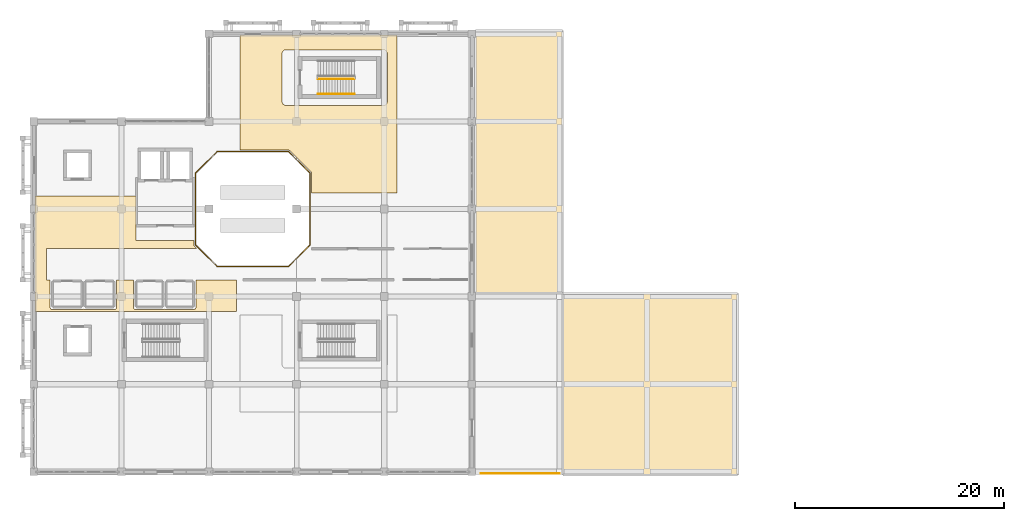
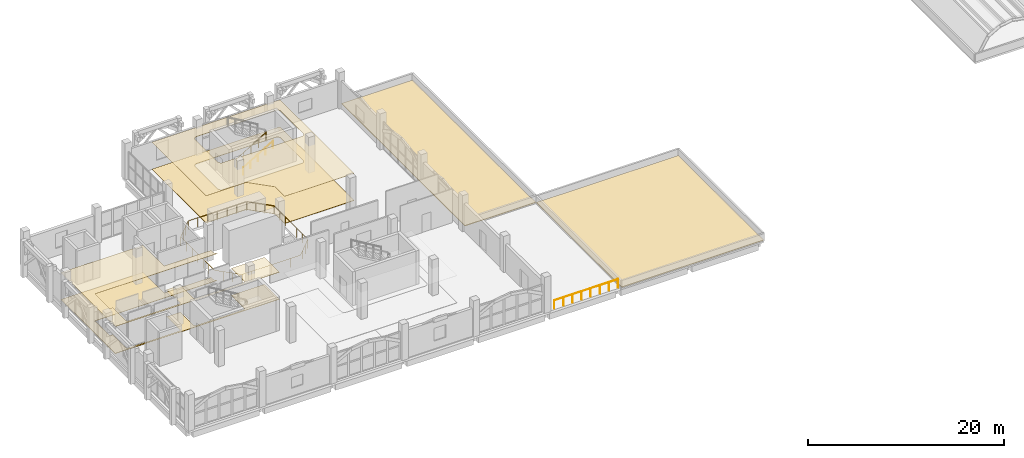
# One storey, part 31 of 34: 6 coverings, 4 railings.
"""IFC4 building model written with IfcOpenShell, lengths in metres."""

from ifc_helpers import new_model, si_unit, direction, frame, origin, origin_2d, place, context, subcontext, project, spatial, polyline, circle, outline, extrude, material, layer, layer_set, type_object, element, save


model = new_model("IFC4")

# Units and contexts
model_context = context("Model", 3, precision=1e-05, world=origin(), true_north=direction((0.0, 1.0)))
body_context = subcontext(model_context, "Body", "Model", "MODEL_VIEW")
ifc_project = project(units=[si_unit("LENGTHUNIT", "METRE"), si_unit("AREAUNIT", "SQUARE_METRE"), si_unit("VOLUMEUNIT", "CUBIC_METRE"), si_unit("PLANEANGLEUNIT", "RADIAN"), si_unit("MASSUNIT", "GRAM", prefix="KILO")], contexts=[model_context])

# Site, building, storey
site_placement = place(None, origin())
site = spatial("IfcSite", under=ifc_project, at=site_placement, CompositionType="ELEMENT")
building_placement = place(site_placement, origin())
building = spatial("IfcBuilding", under=site, at=building_placement, Name="Xazarin Passage Department Store", CompositionType="ELEMENT")
storey_placement = place(building_placement, frame((0.0, 0.0, 18.89990234375)))
storey = spatial("IfcBuildingStorey", under=building, at=storey_placement, Name="L04", CompositionType="ELEMENT", Elevation=18.89990234375)

# Coverings
ifc_material_1 = material(Name="Acoustic mineral ceiling")
ifc_layer_1 = layer(ifc_material_1, 0.0400390625)
ifc_layer_set_1 = layer_set([ifc_layer_1], Name="Acoustic mineral ceiling")
covering_type_1 = type_object("IfcCoveringType", Name="ARC-COV-CLG040", PredefinedType="CEILING", material=ifc_layer_set_1)
covering_1_placement = place(storey_placement, frame((0.0, 0.0, 3.360107421875)))
element("IfcCovering", 1, at=covering_1_placement, inside=storey, type_object=covering_type_1, Name="L04 Porcelain and Crystal Gallery Acoustic Ceiling", PredefinedType="CEILING", context=body_context, shape_type="SweptSolid", body=[
    extrude(outline(polyline([(9.800048828125, 90.199951171875), (9.800048828125, 94.449951171875), (0.10009765625, 94.449951171875), (0.10009765625, 83.35009765625), (19.449951171875, 83.35009765625), (19.449951171875, 86.39990234375), (15.52880859375, 86.39990234375), (15.531005859375, 86.395751953125), (15.539306640625, 86.37255859375), (15.545166015625, 86.348876953125), (15.548828125, 86.324462890625), (15.550048828125, 86.300048828125), (15.550048828125, 83.800048828125), (15.548828125, 83.775390625), (15.545166015625, 83.751220703125), (15.539306640625, 83.727294921875), (15.531005859375, 83.704345703125), (15.5205078125, 83.68212890625), (15.5078125, 83.6611328125), (15.493408203125, 83.641357421875), (15.476806640625, 83.623291015625), (15.45849609375, 83.606689453125), (15.43896484375, 83.592041015625), (15.417724609375, 83.57958984375), (15.395751953125, 83.569091796875), (15.37255859375, 83.560791015625), (15.348876953125, 83.5546875), (15.324462890625, 83.55126953125), (15.300048828125, 83.550048828125), (12.699951171875, 83.550048828125), (12.675537109375, 83.55126953125), (12.651123046875, 83.5546875), (12.62744140625, 83.560791015625), (12.604248046875, 83.569091796875), (12.582275390625, 83.57958984375), (12.56103515625, 83.592041015625), (12.550048828125, 83.600341796875), (12.538818359375, 83.592041015625), (12.517822265625, 83.57958984375), (12.49560546875, 83.569091796875), (12.47265625, 83.560791015625), (12.44873046875, 83.5546875), (12.424560546875, 83.55126953125), (12.39990234375, 83.550048828125), (9.800048828125, 83.550048828125), (9.775390625, 83.55126953125), (9.751220703125, 83.5546875), (9.727294921875, 83.560791015625), (9.704345703125, 83.569091796875), (9.68212890625, 83.57958984375), (9.6611328125, 83.592041015625), (9.641357421875, 83.606689453125), (9.623291015625, 83.623291015625), (9.606689453125, 83.641357421875), (9.592041015625, 83.6611328125), (9.57958984375, 83.68212890625), (9.569091796875, 83.704345703125), (9.560791015625, 83.727294921875), (9.5546875, 83.751220703125), (9.55126953125, 83.775390625), (9.550048828125, 83.800048828125), (9.550048828125, 86.300048828125), (9.55126953125, 86.324462890625), (9.5546875, 86.348876953125), (9.560791015625, 86.37255859375), (9.569091796875, 86.395751953125), (9.571044921875, 86.39990234375), (7.928955078125, 86.39990234375), (7.930908203125, 86.395751953125), (7.939208984375, 86.37255859375), (7.9453125, 86.348876953125), (7.94873046875, 86.324462890625), (7.949951171875, 86.300048828125), (7.949951171875, 83.800048828125), (7.94873046875, 83.775390625), (7.9453125, 83.751220703125), (7.939208984375, 83.727294921875), (7.930908203125, 83.704345703125), (7.92041015625, 83.68212890625), (7.907958984375, 83.6611328125), (7.893310546875, 83.641357421875), (7.876708984375, 83.623291015625), (7.858642578125, 83.606689453125), (7.8388671875, 83.592041015625), (7.81787109375, 83.57958984375), (7.795654296875, 83.569091796875), (7.772705078125, 83.560791015625), (7.748779296875, 83.5546875), (7.724609375, 83.55126953125), (7.699951171875, 83.550048828125), (4.89990234375, 83.550048828125), (4.87548828125, 83.55126953125), (4.851318359375, 83.5546875), (4.827392578125, 83.560791015625), (4.80419921875, 83.569091796875), (4.7822265625, 83.57958984375), (4.760986328125, 83.592041015625), (4.75, 83.600341796875), (4.739013671875, 83.592041015625), (4.7177734375, 83.57958984375), (4.69580078125, 83.569091796875), (4.672607421875, 83.560791015625), (4.648681640625, 83.5546875), (4.62451171875, 83.55126953125), (4.60009765625, 83.550048828125), (1.800048828125, 83.550048828125), (1.775390625, 83.55126953125), (1.751220703125, 83.5546875), (1.727294921875, 83.560791015625), (1.704345703125, 83.569091796875), (1.68212890625, 83.57958984375), (1.6611328125, 83.592041015625), (1.641357421875, 83.606689453125), (1.623291015625, 83.623291015625), (1.606689453125, 83.641357421875), (1.592041015625, 83.6611328125), (1.57958984375, 83.68212890625), (1.569091796875, 83.704345703125), (1.560791015625, 83.727294921875), (1.5546875, 83.751220703125), (1.55126953125, 83.775390625), (1.550048828125, 83.800048828125), (1.550048828125, 86.300048828125), (1.55126953125, 86.324462890625), (1.5546875, 86.348876953125), (1.560791015625, 86.37255859375), (1.569091796875, 86.395751953125), (1.571044921875, 86.39990234375), (1.199951171875, 86.39990234375), (1.199951171875, 89.39990234375), (15.646484375, 89.39990234375), (15.423095703125, 89.623291015625), (15.40673828125, 89.641357421875), (15.39208984375, 89.6611328125), (15.37939453125, 89.68212890625), (15.368896484375, 89.704345703125), (15.36083984375, 89.727294921875), (15.354736328125, 89.751220703125), (15.351318359375, 89.775390625), (15.35009765625, 89.800048828125), (15.35009765625, 90.199951171875), (9.800048828125, 90.199951171875)])), origin(), (0.0, 0.0, 1.0), 0.0400390625),
])
covering_2_placement = place(storey_placement, frame((0.0, 0.0, 3.360107421875)))
element("IfcCovering", 2, at=covering_2_placement, inside=storey, type_object=covering_type_1, Name="L04 Porcelain and Crystal Gallery Acoustic Ceiling", PredefinedType="CEILING", context=body_context, shape_type="SweptSolid", body=[
    extrude(outline(polyline([(26.64990234375, 96.60009765625), (26.64990234375, 94.75), (34.85009765625, 94.75), (34.85009765625, 109.89990234375), (19.75, 109.89990234375), (19.75, 98.85009765625), (24.39990234375, 98.85009765625), (24.424560546875, 98.848876953125), (24.44873046875, 98.84521484375), (24.47265625, 98.839111328125), (24.49560546875, 98.8310546875), (24.517822265625, 98.820556640625), (24.538818359375, 98.807861328125), (24.55859375, 98.793212890625), (24.576904296875, 98.77685546875), (26.576904296875, 96.77685546875), (26.59326171875, 96.758544921875), (26.60791015625, 96.739013671875), (26.62060546875, 96.7177734375), (26.631103515625, 96.69580078125), (26.63916015625, 96.672607421875), (26.645263671875, 96.648681640625), (26.648681640625, 96.62451171875), (26.64990234375, 96.60009765625)]), holes=[polyline([(33.89990234375, 103.530029296875), (33.898193359375, 103.49072265625), (33.892333984375, 103.451904296875), (33.8828125, 103.413818359375), (33.86962890625, 103.376953125), (33.852783203125, 103.34130859375), (33.83251953125, 103.307861328125), (33.80908203125, 103.276123046875), (33.78271484375, 103.247314453125), (33.75390625, 103.220703125), (33.72216796875, 103.197509765625), (33.688720703125, 103.17724609375), (33.653076171875, 103.160400390625), (33.6162109375, 103.147216796875), (33.577880859375, 103.1376953125), (33.539306640625, 103.1318359375), (33.5, 103.1298828125), (24.199951171875, 103.1298828125), (24.160888671875, 103.1318359375), (24.1220703125, 103.1376953125), (24.083984375, 103.147216796875), (24.046875, 103.160400390625), (24.011474609375, 103.17724609375), (23.977783203125, 103.197509765625), (23.9462890625, 103.220703125), (23.917236328125, 103.247314453125), (23.890869140625, 103.276123046875), (23.867431640625, 103.307861328125), (23.84716796875, 103.34130859375), (23.830322265625, 103.376953125), (23.817138671875, 103.413818359375), (23.8076171875, 103.451904296875), (23.802001953125, 103.49072265625), (23.800048828125, 103.530029296875), (23.800048828125, 108.070068359375), (23.802001953125, 108.109130859375), (23.8076171875, 108.14794921875), (23.817138671875, 108.18603515625), (23.830322265625, 108.22314453125), (23.84716796875, 108.258544921875), (23.867431640625, 108.292236328125), (23.890869140625, 108.32373046875), (23.917236328125, 108.352783203125), (23.9462890625, 108.379150390625), (23.977783203125, 108.402587890625), (24.011474609375, 108.4228515625), (24.046875, 108.439697265625), (24.083984375, 108.452880859375), (24.1220703125, 108.46240234375), (24.160888671875, 108.468017578125), (24.199951171875, 108.469970703125), (33.5, 108.469970703125), (33.539306640625, 108.468017578125), (33.577880859375, 108.46240234375), (33.6162109375, 108.452880859375), (33.653076171875, 108.439697265625), (33.688720703125, 108.4228515625), (33.72216796875, 108.402587890625), (33.75390625, 108.379150390625), (33.78271484375, 108.352783203125), (33.80908203125, 108.32373046875), (33.83251953125, 108.292236328125), (33.852783203125, 108.258544921875), (33.86962890625, 108.22314453125), (33.8828125, 108.18603515625), (33.892333984375, 108.14794921875), (33.898193359375, 108.109130859375), (33.89990234375, 108.070068359375), (33.89990234375, 103.530029296875)])]), origin(), (0.0, 0.0, 1.0), 0.0400390625),
])
ifc_material_2 = material(Name="Terrazzo stone flooring", Category="masonry")
ifc_layer_2 = layer(ifc_material_2, 0.034912109375)
ifc_layer_set_2 = layer_set([ifc_layer_2], Name="Terrazzo stone flooring")
covering_type_2 = type_object("IfcCoveringType", Name="ARC-COV-FLR035", PredefinedType="FLOORING", material=ifc_layer_set_2)
covering_3_placement = place(storey_placement, origin())
element("IfcCovering", 3, at=covering_3_placement, inside=storey, type_object=covering_type_2, Name="L04 Porcelain and Crystal Gallery Terrazzo Flooring", PredefinedType="FLOORING", context=body_context, shape_type="SweptSolid", body=[
    extrude(outline(polyline([(9.800048828125, 90.199951171875), (9.800048828125, 94.449951171875), (0.10009765625, 94.449951171875), (0.10009765625, 83.35009765625), (19.449951171875, 83.35009765625), (19.449951171875, 86.39990234375), (15.52880859375, 86.39990234375), (15.531005859375, 86.395751953125), (15.539306640625, 86.37255859375), (15.545166015625, 86.348876953125), (15.548828125, 86.324462890625), (15.550048828125, 86.300048828125), (15.550048828125, 83.800048828125), (15.548828125, 83.775390625), (15.545166015625, 83.751220703125), (15.539306640625, 83.727294921875), (15.531005859375, 83.704345703125), (15.5205078125, 83.68212890625), (15.5078125, 83.6611328125), (15.493408203125, 83.641357421875), (15.476806640625, 83.623291015625), (15.45849609375, 83.606689453125), (15.43896484375, 83.592041015625), (15.417724609375, 83.57958984375), (15.395751953125, 83.569091796875), (15.37255859375, 83.560791015625), (15.348876953125, 83.5546875), (15.324462890625, 83.55126953125), (15.300048828125, 83.550048828125), (12.699951171875, 83.550048828125), (12.675537109375, 83.55126953125), (12.651123046875, 83.5546875), (12.62744140625, 83.560791015625), (12.604248046875, 83.569091796875), (12.582275390625, 83.57958984375), (12.56103515625, 83.592041015625), (12.550048828125, 83.600341796875), (12.538818359375, 83.592041015625), (12.517822265625, 83.57958984375), (12.49560546875, 83.569091796875), (12.47265625, 83.560791015625), (12.44873046875, 83.5546875), (12.424560546875, 83.55126953125), (12.39990234375, 83.550048828125), (9.800048828125, 83.550048828125), (9.775390625, 83.55126953125), (9.751220703125, 83.5546875), (9.727294921875, 83.560791015625), (9.704345703125, 83.569091796875), (9.68212890625, 83.57958984375), (9.6611328125, 83.592041015625), (9.641357421875, 83.606689453125), (9.623291015625, 83.623291015625), (9.606689453125, 83.641357421875), (9.592041015625, 83.6611328125), (9.57958984375, 83.68212890625), (9.569091796875, 83.704345703125), (9.560791015625, 83.727294921875), (9.5546875, 83.751220703125), (9.55126953125, 83.775390625), (9.550048828125, 83.800048828125), (9.550048828125, 86.300048828125), (9.55126953125, 86.324462890625), (9.5546875, 86.348876953125), (9.560791015625, 86.37255859375), (9.569091796875, 86.395751953125), (9.571044921875, 86.39990234375), (7.928955078125, 86.39990234375), (7.930908203125, 86.395751953125), (7.939208984375, 86.37255859375), (7.9453125, 86.348876953125), (7.94873046875, 86.324462890625), (7.949951171875, 86.300048828125), (7.949951171875, 83.800048828125), (7.94873046875, 83.775390625), (7.9453125, 83.751220703125), (7.939208984375, 83.727294921875), (7.930908203125, 83.704345703125), (7.92041015625, 83.68212890625), (7.907958984375, 83.6611328125), (7.893310546875, 83.641357421875), (7.876708984375, 83.623291015625), (7.858642578125, 83.606689453125), (7.8388671875, 83.592041015625), (7.81787109375, 83.57958984375), (7.795654296875, 83.569091796875), (7.772705078125, 83.560791015625), (7.748779296875, 83.5546875), (7.724609375, 83.55126953125), (7.699951171875, 83.550048828125), (4.89990234375, 83.550048828125), (4.87548828125, 83.55126953125), (4.851318359375, 83.5546875), (4.827392578125, 83.560791015625), (4.80419921875, 83.569091796875), (4.7822265625, 83.57958984375), (4.760986328125, 83.592041015625), (4.75, 83.600341796875), (4.739013671875, 83.592041015625), (4.7177734375, 83.57958984375), (4.69580078125, 83.569091796875), (4.672607421875, 83.560791015625), (4.648681640625, 83.5546875), (4.62451171875, 83.55126953125), (4.60009765625, 83.550048828125), (1.800048828125, 83.550048828125), (1.775390625, 83.55126953125), (1.751220703125, 83.5546875), (1.727294921875, 83.560791015625), (1.704345703125, 83.569091796875), (1.68212890625, 83.57958984375), (1.6611328125, 83.592041015625), (1.641357421875, 83.606689453125), (1.623291015625, 83.623291015625), (1.606689453125, 83.641357421875), (1.592041015625, 83.6611328125), (1.57958984375, 83.68212890625), (1.569091796875, 83.704345703125), (1.560791015625, 83.727294921875), (1.5546875, 83.751220703125), (1.55126953125, 83.775390625), (1.550048828125, 83.800048828125), (1.550048828125, 86.300048828125), (1.55126953125, 86.324462890625), (1.5546875, 86.348876953125), (1.560791015625, 86.37255859375), (1.569091796875, 86.395751953125), (1.571044921875, 86.39990234375), (1.199951171875, 86.39990234375), (1.199951171875, 89.39990234375), (15.646484375, 89.39990234375), (15.423095703125, 89.623291015625), (15.40673828125, 89.641357421875), (15.39208984375, 89.6611328125), (15.37939453125, 89.68212890625), (15.368896484375, 89.704345703125), (15.36083984375, 89.727294921875), (15.354736328125, 89.751220703125), (15.351318359375, 89.775390625), (15.35009765625, 89.800048828125), (15.35009765625, 90.199951171875), (9.800048828125, 90.199951171875)])), origin(), (0.0, 0.0, 1.0), 0.03515625),
])
covering_4_placement = place(storey_placement, origin())
element("IfcCovering", 4, at=covering_4_placement, inside=storey, type_object=covering_type_2, Name="L04 Porcelain and Crystal Gallery Terrazzo Flooring", PredefinedType="FLOORING", context=body_context, shape_type="SweptSolid", body=[
    extrude(outline(polyline([(26.64990234375, 96.60009765625), (26.64990234375, 94.75), (34.85009765625, 94.75), (34.85009765625, 109.89990234375), (19.75, 109.89990234375), (19.75, 98.85009765625), (24.39990234375, 98.85009765625), (24.424560546875, 98.848876953125), (24.44873046875, 98.84521484375), (24.47265625, 98.839111328125), (24.49560546875, 98.8310546875), (24.517822265625, 98.820556640625), (24.538818359375, 98.807861328125), (24.55859375, 98.793212890625), (24.576904296875, 98.77685546875), (26.576904296875, 96.77685546875), (26.59326171875, 96.758544921875), (26.60791015625, 96.739013671875), (26.62060546875, 96.7177734375), (26.631103515625, 96.69580078125), (26.63916015625, 96.672607421875), (26.645263671875, 96.648681640625), (26.648681640625, 96.62451171875), (26.64990234375, 96.60009765625)]), holes=[polyline([(33.89990234375, 103.530029296875), (33.898193359375, 103.49072265625), (33.892333984375, 103.451904296875), (33.8828125, 103.413818359375), (33.86962890625, 103.376953125), (33.852783203125, 103.34130859375), (33.83251953125, 103.307861328125), (33.80908203125, 103.276123046875), (33.78271484375, 103.247314453125), (33.75390625, 103.220703125), (33.72216796875, 103.197509765625), (33.688720703125, 103.17724609375), (33.653076171875, 103.160400390625), (33.6162109375, 103.147216796875), (33.577880859375, 103.1376953125), (33.539306640625, 103.1318359375), (33.5, 103.1298828125), (24.199951171875, 103.1298828125), (24.160888671875, 103.1318359375), (24.1220703125, 103.1376953125), (24.083984375, 103.147216796875), (24.046875, 103.160400390625), (24.011474609375, 103.17724609375), (23.977783203125, 103.197509765625), (23.9462890625, 103.220703125), (23.917236328125, 103.247314453125), (23.890869140625, 103.276123046875), (23.867431640625, 103.307861328125), (23.84716796875, 103.34130859375), (23.830322265625, 103.376953125), (23.817138671875, 103.413818359375), (23.8076171875, 103.451904296875), (23.802001953125, 103.49072265625), (23.800048828125, 103.530029296875), (23.800048828125, 108.070068359375), (23.802001953125, 108.109130859375), (23.8076171875, 108.14794921875), (23.817138671875, 108.18603515625), (23.830322265625, 108.22314453125), (23.84716796875, 108.258544921875), (23.867431640625, 108.292236328125), (23.890869140625, 108.32373046875), (23.917236328125, 108.352783203125), (23.9462890625, 108.379150390625), (23.977783203125, 108.402587890625), (24.011474609375, 108.4228515625), (24.046875, 108.439697265625), (24.083984375, 108.452880859375), (24.1220703125, 108.46240234375), (24.160888671875, 108.468017578125), (24.199951171875, 108.469970703125), (33.5, 108.469970703125), (33.539306640625, 108.468017578125), (33.577880859375, 108.46240234375), (33.6162109375, 108.452880859375), (33.653076171875, 108.439697265625), (33.688720703125, 108.4228515625), (33.72216796875, 108.402587890625), (33.75390625, 108.379150390625), (33.78271484375, 108.352783203125), (33.80908203125, 108.32373046875), (33.83251953125, 108.292236328125), (33.852783203125, 108.258544921875), (33.86962890625, 108.22314453125), (33.8828125, 108.18603515625), (33.892333984375, 108.14794921875), (33.898193359375, 108.109130859375), (33.89990234375, 108.070068359375), (33.89990234375, 103.530029296875)])]), origin(), (0.0, 0.0, 1.0), 0.03515625),
])
ifc_material_3 = material(Name="Insulated waterproof roofing membrane")
ifc_layer_3 = layer(ifc_material_3, 0.080078125)
ifc_layer_set_3 = layer_set([ifc_layer_3], Name="Insulated waterproof roofing membrane")
covering_type_3 = type_object("IfcCoveringType", Name="ARC-COV-RFG080", PredefinedType="ROOFING", material=ifc_layer_set_3)
covering_5_placement = place(storey_placement, origin())
element("IfcCovering", 5, at=covering_5_placement, inside=storey, type_object=covering_type_3, Name="L04 Insulated Roofing Membrane SLB-V1-L04-STEP-1", PredefinedType="ROOFING", context=body_context, shape_type="SweptSolid", body=[
    extrude(outline(polyline([(67.5, 85.10009765625), (50.75, 85.10009765625), (50.75, 67.699951171875), (67.5, 67.699951171875), (67.5, 85.10009765625)])), origin(), (0.0, 0.0, 1.0), 0.080078125),
])
covering_6_placement = place(storey_placement, origin())
element("IfcCovering", 6, at=covering_6_placement, inside=storey, type_object=covering_type_3, Name="L04 Insulated Roofing Membrane SLB-V1-L04-STEP-2", PredefinedType="ROOFING", context=body_context, shape_type="SweptSolid", body=[
    extrude(outline(polyline([(42.35009765625, 85.14990234375), (50.699951171875, 85.14990234375), (50.699951171875, 110.300048828125), (42.35009765625, 110.300048828125), (42.35009765625, 85.14990234375)])), origin(), (0.0, 0.0, 1.0), 0.080078125),
])

# Railings
ifc_material_4 = material(Name="Low-E laminated safety glass", Category="glass")
railing_type_1 = type_object("IfcRailingType", Name="ARC-RL-BAL115", PredefinedType="BALUSTRADE", material=ifc_material_4)
railing_1_placement = place(storey_placement, frame((15.5, 96.641357421875, 0.0)))
element("IfcRailing", 7, at=railing_1_placement, inside=storey, type_object=railing_type_1, Name="L04 Void Edge Balustrade 0013", PredefinedType="BALUSTRADE", context=body_context, shape_type="SweptSolid", body=[
    extrude(circle(Radius=0.02392578125, at=origin_2d()), frame((0.0, -0.03125, 1.1259765625), z_axis=(0.0, -1.0, 0.0), x_axis=(1.0, 0.0, 0.0)), (0.0, 0.0, 1.0), 6.8203125),
    extrude(circle(Radius=0.02392578125, at=origin_2d()), frame((0.022216796875, -6.905029296875, 1.1259765625), z_axis=(0.707106781187, -0.707106781187, 0.0), x_axis=(0.707106781187, 0.707106781187, 0.0)), (0.0, 0.0, 1.0), 2.848876953125),
    extrude(circle(Radius=0.02392578125, at=origin_2d()), frame((2.08984375, -8.94140625, 1.1259765625), z_axis=(1.0, 0.0, 0.0), x_axis=(0.0, 1.0, 0.0)), (0.0, 0.0, 1.0), 6.8203125),
    extrude(circle(Radius=0.02392578125, at=origin_2d()), frame((8.963623046875, -8.919189453125, 1.1259765625), z_axis=(0.707106781187, 0.707106781187, 0.0), x_axis=(-0.707106781187, 0.707106781187, 0.0)), (0.0, 0.0, 1.0), 2.848876953125),
    extrude(circle(Radius=0.02392578125, at=origin_2d()), frame((11.0, -6.8515625, 1.1259765625), z_axis=(0.0, 1.0, 0.0), x_axis=(-1.0, 0.0, 0.0)), (0.0, 0.0, 1.0), 6.8203125),
    extrude(circle(Radius=0.02392578125, at=origin_2d()), frame((10.977783203125, 0.022216796875, 1.1259765625), z_axis=(-0.707106781187, 0.707106781187, 0.0), x_axis=(-0.707106781187, -0.707106781187, 0.0)), (0.0, 0.0, 1.0), 2.848876953125),
    extrude(circle(Radius=0.02392578125, at=origin_2d()), frame((8.91015625, 2.05859375, 1.1259765625), z_axis=(-1.0, 0.0, 0.0), x_axis=(0.0, -1.0, 0.0)), (0.0, 0.0, 1.0), 6.8203125),
    extrude(circle(Radius=0.02392578125, at=origin_2d()), frame((2.036376953125, 2.036376953125, 1.1259765625), z_axis=(-0.707106781187, -0.707106781187, 0.0), x_axis=(0.707106781187, -0.707106781187, 0.0)), (0.0, 0.0, 1.0), 2.848876953125),
    extrude(circle(Radius=0.02099609375, at=origin_2d()), origin(), (0.0, 0.0, 1.0), 1.1015625),
    extrude(circle(Radius=0.02099609375, at=origin_2d()), frame((0.0, -1.147216796875, 0.0)), (0.0, 0.0, 1.0), 1.1015625),
    extrude(circle(Radius=0.02099609375, at=origin_2d()), frame((0.0, -2.294189453125, 0.0)), (0.0, 0.0, 1.0), 1.1015625),
    extrude(circle(Radius=0.02099609375, at=origin_2d()), frame((0.0, -3.44140625, 0.0)), (0.0, 0.0, 1.0), 1.1015625),
    extrude(circle(Radius=0.02099609375, at=origin_2d()), frame((0.0, -4.588623046875, 0.0)), (0.0, 0.0, 1.0), 1.1015625),
    extrude(circle(Radius=0.02099609375, at=origin_2d()), frame((0.0, -5.735595703125, 0.0)), (0.0, 0.0, 1.0), 1.1015625),
    extrude(circle(Radius=0.02099609375, at=origin_2d()), frame((0.0, -6.8828125, 0.0)), (0.0, 0.0, 1.0), 1.1015625),
    extrude(circle(Radius=0.02099609375, at=origin_2d()), frame((0.686279296875, -7.569091796875, 0.0)), (0.0, 0.0, 1.0), 1.1015625),
    extrude(circle(Radius=0.02099609375, at=origin_2d()), frame((1.372314453125, -8.255126953125, 0.0)), (0.0, 0.0, 1.0), 1.1015625),
    extrude(circle(Radius=0.02099609375, at=origin_2d()), frame((2.05859375, -8.94140625, 0.0)), (0.0, 0.0, 1.0), 1.1015625),
    extrude(circle(Radius=0.02099609375, at=origin_2d()), frame((3.205810546875, -8.94140625, 0.0)), (0.0, 0.0, 1.0), 1.1015625),
    extrude(circle(Radius=0.02099609375, at=origin_2d()), frame((4.352783203125, -8.94140625, 0.0)), (0.0, 0.0, 1.0), 1.1015625),
    extrude(circle(Radius=0.02099609375, at=origin_2d()), frame((5.5, -8.94140625, 0.0)), (0.0, 0.0, 1.0), 1.1015625),
    extrude(circle(Radius=0.02099609375, at=origin_2d()), frame((6.647216796875, -8.94140625, 0.0)), (0.0, 0.0, 1.0), 1.1015625),
    extrude(circle(Radius=0.02099609375, at=origin_2d()), frame((7.794189453125, -8.94140625, 0.0)), (0.0, 0.0, 1.0), 1.1015625),
    extrude(circle(Radius=0.02099609375, at=origin_2d()), frame((8.94140625, -8.94140625, 0.0)), (0.0, 0.0, 1.0), 1.1015625),
    extrude(circle(Radius=0.02099609375, at=origin_2d()), frame((9.627685546875, -8.255126953125, 0.0)), (0.0, 0.0, 1.0), 1.1015625),
    extrude(circle(Radius=0.02099609375, at=origin_2d()), frame((10.313720703125, -7.569091796875, 0.0)), (0.0, 0.0, 1.0), 1.1015625),
    extrude(circle(Radius=0.02099609375, at=origin_2d()), frame((11.0, -6.8828125, 0.0)), (0.0, 0.0, 1.0), 1.1015625),
    extrude(circle(Radius=0.02099609375, at=origin_2d()), frame((11.0, -5.735595703125, 0.0)), (0.0, 0.0, 1.0), 1.1015625),
    extrude(circle(Radius=0.02099609375, at=origin_2d()), frame((11.0, -4.588623046875, 0.0)), (0.0, 0.0, 1.0), 1.1015625),
    extrude(circle(Radius=0.02099609375, at=origin_2d()), frame((11.0, -3.44140625, 0.0)), (0.0, 0.0, 1.0), 1.1015625),
    extrude(circle(Radius=0.02099609375, at=origin_2d()), frame((11.0, -2.294189453125, 0.0)), (0.0, 0.0, 1.0), 1.1015625),
    extrude(circle(Radius=0.02099609375, at=origin_2d()), frame((11.0, -1.147216796875, 0.0)), (0.0, 0.0, 1.0), 1.1015625),
    extrude(circle(Radius=0.02099609375, at=origin_2d()), frame((11.0, 0.0, 0.0)), (0.0, 0.0, 1.0), 1.1015625),
    extrude(circle(Radius=0.02099609375, at=origin_2d()), frame((10.313720703125, 0.686279296875, 0.0)), (0.0, 0.0, 1.0), 1.1015625),
    extrude(circle(Radius=0.02099609375, at=origin_2d()), frame((9.627685546875, 1.372314453125, 0.0)), (0.0, 0.0, 1.0), 1.1015625),
    extrude(circle(Radius=0.02099609375, at=origin_2d()), frame((8.94140625, 2.05859375, 0.0)), (0.0, 0.0, 1.0), 1.1015625),
    extrude(circle(Radius=0.02099609375, at=origin_2d()), frame((7.794189453125, 2.05859375, 0.0)), (0.0, 0.0, 1.0), 1.1015625),
    extrude(circle(Radius=0.02099609375, at=origin_2d()), frame((6.647216796875, 2.05859375, 0.0)), (0.0, 0.0, 1.0), 1.1015625),
    extrude(circle(Radius=0.02099609375, at=origin_2d()), frame((5.5, 2.05859375, 0.0)), (0.0, 0.0, 1.0), 1.1015625),
    extrude(circle(Radius=0.02099609375, at=origin_2d()), frame((4.352783203125, 2.05859375, 0.0)), (0.0, 0.0, 1.0), 1.1015625),
    extrude(circle(Radius=0.02099609375, at=origin_2d()), frame((3.205810546875, 2.05859375, 0.0)), (0.0, 0.0, 1.0), 1.1015625),
    extrude(circle(Radius=0.02099609375, at=origin_2d()), frame((2.05859375, 2.05859375, 0.0)), (0.0, 0.0, 1.0), 1.1015625),
    extrude(circle(Radius=0.02099609375, at=origin_2d()), frame((1.372314453125, 1.372314453125, 0.0)), (0.0, 0.0, 1.0), 1.1015625),
    extrude(circle(Radius=0.02099609375, at=origin_2d()), frame((0.686279296875, 0.686279296875, 0.0)), (0.0, 0.0, 1.0), 1.1015625),
])
ifc_material_5 = material(Name="Steel S355", Category="steel")
railing_type_2 = type_object("IfcRailingType", Name="ARC-RL-GRD112", PredefinedType="GUARDRAIL", material=ifc_material_5)
railing_2_placement = place(storey_placement, frame((50.39990234375, 67.830078125, 0.0)))
element("IfcRailing", 8, at=railing_2_placement, inside=storey, type_object=railing_type_2, Name="L04 Roof Terrace Perimeter Guard 0014", PredefinedType="GUARDRAIL", context=body_context, shape_type="SweptSolid", body=[
    extrude(circle(Radius=0.02392578125, at=origin_2d()), frame((0.0, 0.0, 1.09619140625), z_axis=(-1.0, 0.0, 0.0), x_axis=(0.0, -1.0, 0.0)), (0.0, 0.0, 1.0), 7.51904296875),
    extrude(circle(Radius=0.02099609375, at=origin_2d()), origin(), (0.0, 0.0, 1.0), 1.07177734375),
    extrude(circle(Radius=0.02099609375, at=origin_2d()), frame((-1.07421875, 0.0, 0.0)), (0.0, 0.0, 1.0), 1.07177734375),
    extrude(circle(Radius=0.02099609375, at=origin_2d()), frame((-2.148193359375, 0.0, 0.0)), (0.0, 0.0, 1.0), 1.07177734375),
    extrude(circle(Radius=0.02099609375, at=origin_2d()), frame((-3.222412109375, 0.0, 0.0)), (0.0, 0.0, 1.0), 1.07177734375),
    extrude(circle(Radius=0.02099609375, at=origin_2d()), frame((-4.296630859375, 0.0, 0.0)), (0.0, 0.0, 1.0), 1.07177734375),
    extrude(circle(Radius=0.02099609375, at=origin_2d()), frame((-5.370849609375, 0.0, 0.0)), (0.0, 0.0, 1.0), 1.07177734375),
    extrude(circle(Radius=0.02099609375, at=origin_2d()), frame((-6.44482421875, 0.0, 0.0)), (0.0, 0.0, 1.0), 1.07177734375),
    extrude(circle(Radius=0.02099609375, at=origin_2d()), frame((-7.51904296875, 0.0, 0.0)), (0.0, 0.0, 1.0), 1.07177734375),
])
railing_3_placement = place(storey_placement, frame((27.239990234375, 105.64990234375, 0.160888671875)))
element("IfcRailing", 9, at=railing_3_placement, inside=storey, type_object=railing_type_2, Name="L04 ST2 stair guard 1", PredefinedType="GUARDRAIL", context=body_context, shape_type="SweptSolid", body=[
    extrude(circle(Radius=0.02392578125, at=origin_2d()), frame((0.0, 0.0, 1.076171875), z_axis=(0.859312273368, 0.0, 0.511451284914), x_axis=(0.0, 1.0, 0.0)), (0.0, 0.0, 1.0), 4.084716796875),
    extrude(circle(Radius=0.02099609375, at=origin_2d()), origin(), (0.0, 0.0, 1.0), 1.0517578125),
    extrude(circle(Radius=0.02099609375, at=origin_2d()), frame((0.87744140625, 0.0, 0.522216796875)), (0.0, 0.0, 1.0), 1.0517578125),
    extrude(circle(Radius=0.02099609375, at=origin_2d()), frame((1.7548828125, 0.0, 1.04443359375)), (0.0, 0.0, 1.0), 1.0517578125),
    extrude(circle(Radius=0.02099609375, at=origin_2d()), frame((2.632568359375, 0.0, 1.56689453125)), (0.0, 0.0, 1.0), 1.0517578125),
    extrude(circle(Radius=0.02099609375, at=origin_2d()), frame((3.510009765625, 0.0, 2.089111328125)), (0.0, 0.0, 1.0), 1.0517578125),
])
railing_type_3 = type_object("IfcRailingType", Name="ARC-RL-HND090", PredefinedType="HANDRAIL", material=ifc_material_5)
railing_4_placement = place(storey_placement, frame((27.239990234375, 104.22998046875, 0.160888671875)))
element("IfcRailing", 10, at=railing_4_placement, inside=storey, type_object=railing_type_3, Name="L04 ST2 stair handrail 1", PredefinedType="HANDRAIL", context=body_context, shape_type="SweptSolid", body=[
    extrude(circle(Radius=0.02392578125, at=origin_2d()), frame((0.0, 0.0, 0.8759765625), z_axis=(0.859312273368, 0.0, 0.511451284914), x_axis=(0.0, 1.0, 0.0)), (0.0, 0.0, 1.0), 4.084716796875),
    extrude(circle(Radius=0.02099609375, at=origin_2d()), origin(), (0.0, 0.0, 1.0), 0.8515625),
    extrude(circle(Radius=0.02099609375, at=origin_2d()), frame((0.87744140625, 0.0, 0.522216796875)), (0.0, 0.0, 1.0), 0.8515625),
    extrude(circle(Radius=0.02099609375, at=origin_2d()), frame((1.7548828125, 0.0, 1.04443359375)), (0.0, 0.0, 1.0), 0.8515625),
    extrude(circle(Radius=0.02099609375, at=origin_2d()), frame((2.632568359375, 0.0, 1.56689453125)), (0.0, 0.0, 1.0), 0.8515625),
    extrude(circle(Radius=0.02099609375, at=origin_2d()), frame((3.510009765625, 0.0, 2.089111328125)), (0.0, 0.0, 1.0), 0.8515625),
])

save(model, "model.ifc")
